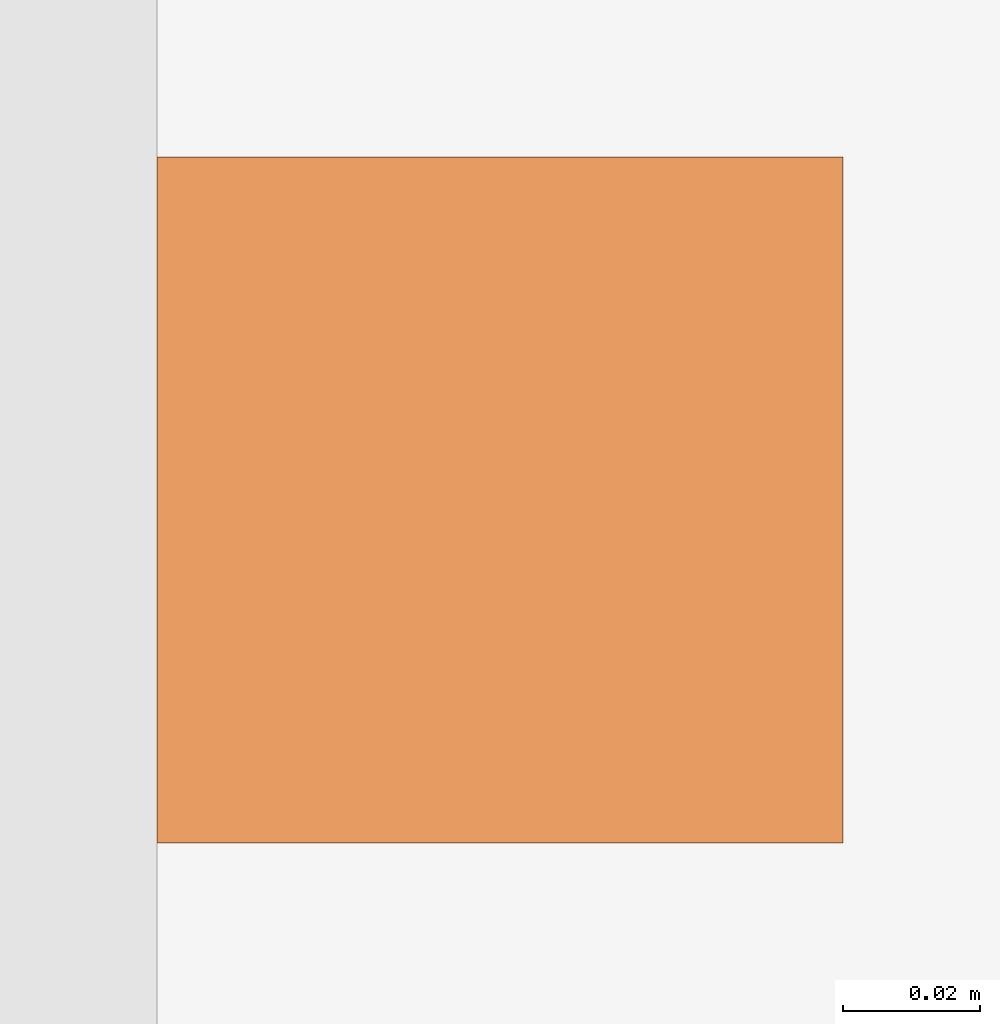
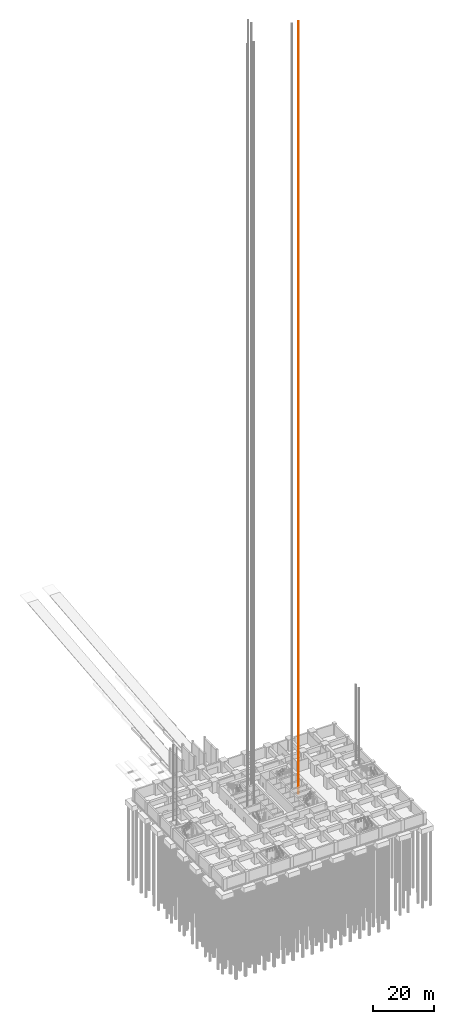
# One storey, part 27 of 28: 1 proxy.
"""IFC4 building model written with IfcOpenShell, lengths in metres."""

from ifc_helpers import new_model, si_unit, direction, frame, origin, origin_2d, place, context, subcontext, project, spatial, rectangle, extrude, material, type_object, element, save


model = new_model("IFC4")

# Units and contexts
model_context = context("Model", 3, precision=1e-05, world=origin(), true_north=direction((0.0, 1.0)))
body_context = subcontext(model_context, "Body", "Model", "MODEL_VIEW")
ifc_project = project(units=[si_unit("LENGTHUNIT", "METRE"), si_unit("AREAUNIT", "SQUARE_METRE"), si_unit("VOLUMEUNIT", "CUBIC_METRE"), si_unit("PLANEANGLEUNIT", "RADIAN"), si_unit("MASSUNIT", "GRAM", prefix="KILO")], contexts=[model_context])

# Site, building, storey
site_placement = place(None, origin())
site = spatial("IfcSite", under=ifc_project, at=site_placement, CompositionType="ELEMENT")
building_placement = place(site_placement, origin())
building = spatial("IfcBuilding", under=site, at=building_placement, Name="Rekha Terrace Tower", CompositionType="ELEMENT")
storey_placement = place(building_placement, frame((0.0, 0.0, -9.89990234375)))
storey = spatial("IfcBuildingStorey", under=building, at=storey_placement, Name="B-02", CompositionType="ELEMENT", Elevation=-9.89990234375)

# Proxy
ifc_material = material(Name="Steel guide rail", Category="steel")
building_element_proxy_type = type_object("IfcBuildingElementProxyType", Name="LR1 100 lift guide rail", PredefinedType="ELEMENT", material=ifc_material)
proxy_placement = place(storey_placement, frame((48.35009765625, 35.050048828125, 0.0), z_axis=(0.0, 0.0, 1.0), x_axis=(1.0, 0.0, 0.0)))
element("IfcBuildingElementProxy", 1, at=proxy_placement, inside=storey, type_object=building_element_proxy_type, Name="Lift FL2 guide rail 2", PredefinedType="ELEMENT", context=body_context, shape_type="SweptSolid", body=[
    extrude(rectangle(XDim=0.10009765625, YDim=0.10009765625, at=origin_2d()), origin(), (0.0, 0.0, 1.0), 309.050048828125),
])

save(model, "model.ifc")
